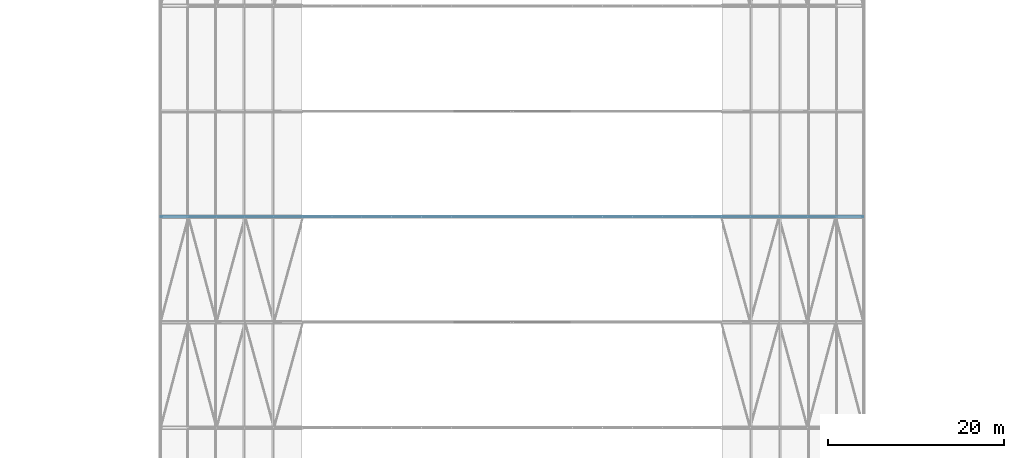
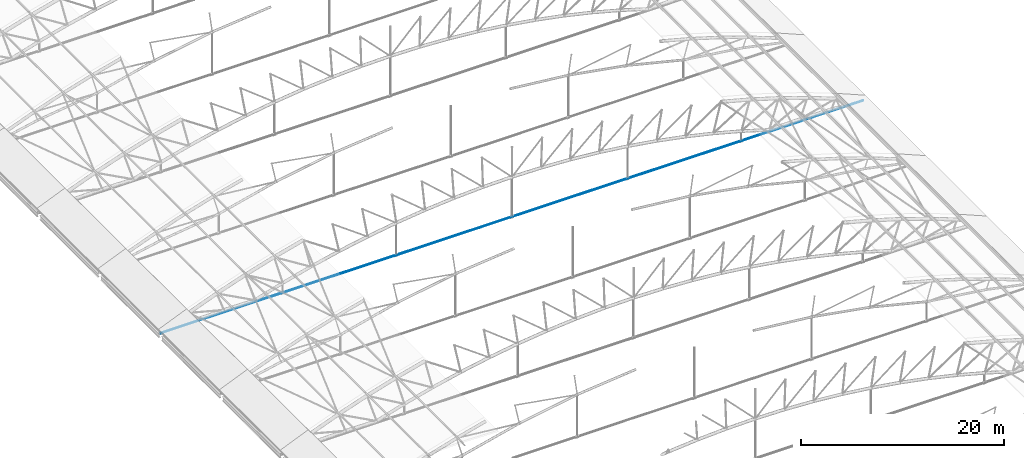
# One storey, part 88 of 321: 1 member.
"""IFC4 building model written with IfcOpenShell, lengths in metres."""

import ifcopenshell
import ifcopenshell.guid

model = None  # the IFC model being written
_history = None  # IfcOwnerHistory: only IFC2X3 demands one
_inside = {}  # id of a spatial element -> (the spatial element, [elements in it])
_under = {}  # id of a project, library or spatial element -> (it, [spatial elements below it])
_declared = {}  # id of a project -> (the project, [libraries it declares])
_typed = {}  # id of a type object -> (the type object, [elements of that type])
_made_of = {}  # id of a material, layer set ... -> (it, [elements and type objects made of it])


def new_model(schema):
    """Start an empty IFC model of exactly this schema.

    Asked for "IFC4X3", IfcOpenShell would pick the latest addendum, in which some entities
    have other attributes; the version numbers below select the first issue.
    IFC2X3 requires an IfcOwnerHistory on every rooted entity: one is made here for all.
    """
    global model, _history
    if schema == "IFC4X3":
        model = ifcopenshell.file(schema_version=(4, 3, 0, 0))
    else:
        model = ifcopenshell.file(schema=schema)
    _inside.clear()
    _under.clear()
    _declared.clear()
    _typed.clear()
    _made_of.clear()
    _history = None
    if model.schema == "IFC2X3":
        org = make("IfcOrganization", Name="unknown")
        user = make(
            "IfcPersonAndOrganization",
            ThePerson=make("IfcPerson", FamilyName="unknown"),
            TheOrganization=org,
        )
        app = make(
            "IfcApplication",
            ApplicationDeveloper=org,
            Version="unknown",
            ApplicationFullName="unknown",
            ApplicationIdentifier="unknown",
        )
        _history = make(
            "IfcOwnerHistory",
            OwningUser=user,
            OwningApplication=app,
            ChangeAction="ADDED",
            CreationDate=0,
        )
    return model


def make(cls, **values):
    """One entity of the class cls with the attributes given. An attribute that is None is left unset."""
    return model.create_entity(
        cls, **{name: value for name, value in values.items() if value is not None}
    )


def rooted(cls, **values):
    """An entity with a GlobalId (a new one), such as an element, a storey or a relation."""
    return make(cls, GlobalId=ifcopenshell.guid.new(), OwnerHistory=_history, **values)


def si_unit(unit_type, name, prefix=None):
    """IfcSIUnit, for example si_unit("LENGTHUNIT", "METRE", prefix="MILLI")."""
    return make("IfcSIUnit", UnitType=unit_type, Prefix=prefix, Name=name)


def assignment(units):
    """IfcUnitAssignment: the units of a project."""
    return None if units is None else make("IfcUnitAssignment", Units=units)


def point(xyz):
    """IfcCartesianPoint."""
    return None if xyz is None else make("IfcCartesianPoint", Coordinates=xyz)


def direction(xyz):
    """IfcDirection."""
    return None if xyz is None else make("IfcDirection", DirectionRatios=xyz)


def frame(location, z_axis=None, x_axis=None):
    """IfcAxis2Placement3D, a coordinate frame: its origin and axes. An axis left out is left unset."""
    return make(
        "IfcAxis2Placement3D",
        Location=point(location),
        Axis=direction(z_axis),
        RefDirection=direction(x_axis),
    )


def frame_2d(location, x_axis=None):
    """IfcAxis2Placement2D, a coordinate frame in the plane: its origin and x axis."""
    return make(
        "IfcAxis2Placement2D", Location=point(location), RefDirection=direction(x_axis)
    )


def origin():
    """The frame at (0, 0, 0) with its axes left unset."""
    return frame((0.0, 0.0, 0.0))


def origin_2d():
    """The frame at (0, 0) in the plane with its x axis left unset."""
    return frame_2d((0.0, 0.0))


def place(relative_to, where):
    """IfcLocalPlacement: puts the frame where relative to a parent placement (None: the world)."""
    return make(
        "IfcLocalPlacement", PlacementRelTo=relative_to, RelativePlacement=where
    )


def context(
    kind, dimensions, precision=None, world=None, true_north=None, identifier=None
):
    """IfcGeometricRepresentationContext, for example the 3D "Model" context."""
    return make(
        "IfcGeometricRepresentationContext",
        ContextIdentifier=identifier,
        ContextType=kind,
        CoordinateSpaceDimension=dimensions,
        Precision=precision,
        WorldCoordinateSystem=world,
        TrueNorth=true_north,
    )


def subcontext(parent, identifier, kind, view, scale=None):
    """IfcGeometricRepresentationSubContext, for example "Body" below "Model"."""
    return make(
        "IfcGeometricRepresentationSubContext",
        ContextIdentifier=identifier,
        ContextType=kind,
        ParentContext=parent,
        TargetScale=scale,
        TargetView=view,
    )


def project(units=None, contexts=None):
    """IfcProject with its units and contexts."""
    return rooted(
        "IfcProject",
        Name="project",
        RepresentationContexts=contexts,
        UnitsInContext=assignment(units),
    )


def spatial(cls, under=None, at=None, **own):
    """A site, building, storey or space (cls), placed at a placement, below another one or the project."""
    s = rooted(cls, ObjectPlacement=at, **own)
    if under is not None:
        _under.setdefault(under.id(), (under, []))[1].append(s)
    return s


def profile(cls, at=None, kind="AREA", **sizes):
    """A parametric profile (cls). Its sizes go by their IFC names, for example OverallWidth=200.0."""
    return make(cls, ProfileType=kind, Position=at, **sizes)


def circle(**sizes):
    """IfcCircleProfileDef."""
    return profile("IfcCircleProfileDef", **sizes)


def extrude(swept, where, along, depth):
    """IfcExtrudedAreaSolid: the profile swept, set in the frame where, extruded along a direction by depth."""
    return make(
        "IfcExtrudedAreaSolid",
        SweptArea=swept,
        Position=where,
        ExtrudedDirection=direction(along),
        Depth=depth,
    )


def shape(context_of_items, identifier, shape_type, items):
    """IfcShapeRepresentation: the items that make up one representation, for example the "Body"."""
    return make(
        "IfcShapeRepresentation",
        ContextOfItems=context_of_items,
        RepresentationIdentifier=identifier,
        RepresentationType=shape_type,
        Items=items,
    )


def material(Name=None, Category=None):
    """IfcMaterial."""
    return make("IfcMaterial", Name=Name, Category=Category)


def material_profile(
    of_material, cross_section, Name=None, Category=None, Priority=None
):
    """IfcMaterialProfile: a cross section and its material."""
    return make(
        "IfcMaterialProfile",
        Name=Name,
        Material=of_material,
        Profile=cross_section,
        Priority=Priority,
        Category=Category,
    )


def profile_set(profiles, Name=None, composite=None):
    """IfcMaterialProfileSet."""
    return make(
        "IfcMaterialProfileSet",
        Name=Name,
        MaterialProfiles=profiles,
        CompositeProfile=composite,
    )


def made_of(thing, what):
    """Note that an element or type object is made of a material, layer set ...; save() writes the relation."""
    if what is not None:
        _made_of.setdefault(what.id(), (what, []))[1].append(thing)
    return thing


def type_object(cls, material=None, **own):
    """A type object (cls), such as IfcWallType, which elements share."""
    return made_of(rooted(cls, **own), material)


def element(
    cls,
    number,
    at=None,
    inside=None,
    cuts=None,
    type_object=None,
    material=None,
    context=None,
    identifier="Body",
    shape_type=None,
    held_by="IfcProductDefinitionShape",
    body=None,
    shapes=None,
    **own,
):
    """One element of the class cls, such as IfcWall. Its Tag is "e" and its number.

    at: its placement. inside: the storey or other place that contains it. cuts: it is an
    opening in that element (IfcRelVoidsElement). A single representation is given by context,
    identifier, shape_type and body (its items); several are given by shapes. held_by: the class
    of the entity that holds the representations. save() writes the other relations.
    """
    e = rooted(cls, Tag="e%d" % number, ObjectPlacement=at, **own)
    if body is not None:
        shapes = [shape(context, identifier, shape_type, body)]
    if shapes is not None:
        e.Representation = make(held_by, Representations=shapes)
    if inside is not None:
        _inside.setdefault(inside.id(), (inside, []))[1].append(e)
    if cuts is not None:
        rooted(
            "IfcRelVoidsElement", RelatingBuildingElement=cuts, RelatedOpeningElement=e
        )
    if type_object is not None:
        _typed.setdefault(type_object.id(), (type_object, []))[1].append(e)
    return made_of(e, material)


def aggregate(whole, parts):
    """IfcRelAggregates: a whole, such as a stair, and the parts it consists of."""
    return rooted("IfcRelAggregates", RelatingObject=whole, RelatedObjects=parts)


def save(model, path):
    """Write the relations noted so far, then the file.

    IfcRelAggregates (storeys below a building ...), IfcRelContainedInSpatialStructure (elements
    in a storey), IfcRelDefinesByType, IfcRelAssociatesMaterial and IfcRelDeclares: one each for
    every whole, place, type object, material and project.
    """
    for whole, parts in _under.values():
        aggregate(whole, parts)
    for where, things in _inside.values():
        rooted(
            "IfcRelContainedInSpatialStructure",
            RelatedElements=things,
            RelatingStructure=where,
        )
    for kind, things in _typed.values():
        rooted("IfcRelDefinesByType", RelatedObjects=things, RelatingType=kind)
    for what, things in _made_of.values():
        rooted("IfcRelAssociatesMaterial", RelatedObjects=things, RelatingMaterial=what)
    for by, libraries in _declared.values():
        rooted("IfcRelDeclares", RelatingContext=by, RelatedDefinitions=libraries)
    model.write(path)


model = new_model("IFC4")

# Units and contexts
model_context = context("Model", 3, precision=1e-05, world=origin(), true_north=direction((0.0, 1.0)))
body_context = subcontext(model_context, "Body", "Model", "MODEL_VIEW")
ifc_project = project(units=[si_unit("LENGTHUNIT", "METRE"), si_unit("AREAUNIT", "SQUARE_METRE"), si_unit("VOLUMEUNIT", "CUBIC_METRE"), si_unit("PLANEANGLEUNIT", "RADIAN"), si_unit("MASSUNIT", "GRAM", prefix="KILO")], contexts=[model_context])

# Site, building, storey
site_placement = place(None, origin())
site = spatial("IfcSite", under=ifc_project, at=site_placement, CompositionType="ELEMENT")
building_placement = place(site_placement, origin())
building = spatial("IfcBuilding", under=site, at=building_placement, Name="Ravi Spectrum Wholesale Market", CompositionType="ELEMENT")
storey_placement = place(building_placement, frame((0.0, 0.0, 10.800048828125)))
storey = spatial("IfcBuildingStorey", under=building, at=storey_placement, Name="L02", CompositionType="ELEMENT", Elevation=10.800048828125)

# Member
ifc_material = material(Name="Steel S460", Category="steel")
ifc_material_profile = material_profile(ifc_material, circle(Radius=0.044921875, at=origin_2d()))
ifc_profile_set = profile_set([ifc_material_profile], Name="Steel S460")
member_type = type_object("IfcMemberType", Name="ROD 90 tie", PredefinedType="BRACE", material=ifc_profile_set)
member_placement = place(storey_placement, frame((30.0, 126.0, 0.0), z_axis=(1.0, 0.0, 0.0), x_axis=(0.0, 1.0, 0.0)))
element("IfcMember", 1, at=member_placement, inside=storey, type_object=member_type, Name="H1-MB-L02-742", PredefinedType="BRACE", context=body_context, shape_type="SweptSolid", body=[
    extrude(circle(Radius=0.044921875, at=origin_2d()), origin(), (0.0, 0.0, 1.0), 80.0),
])

save(model, "model.ifc")
